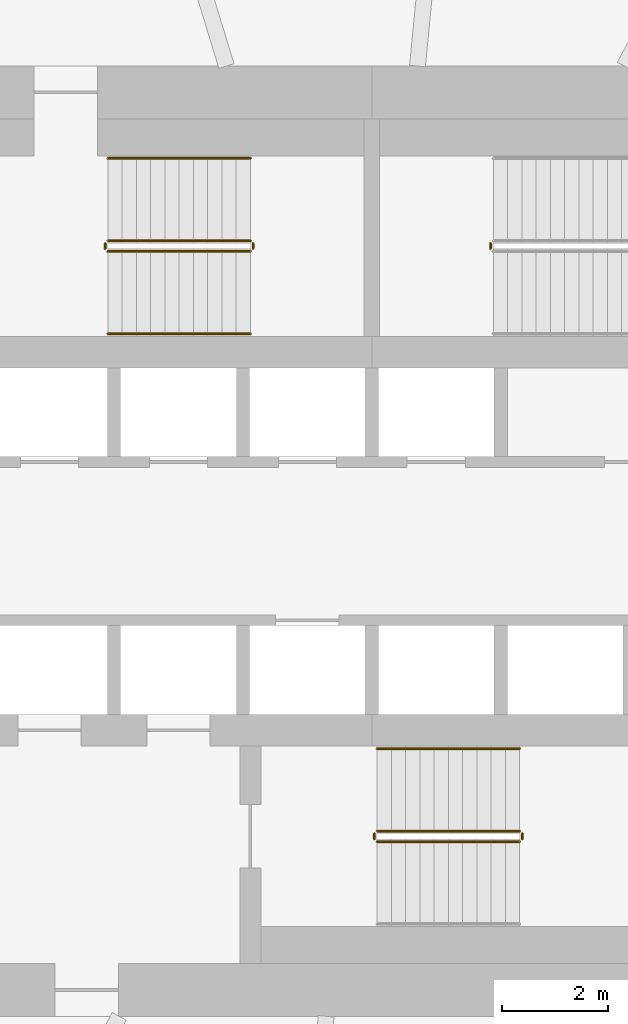
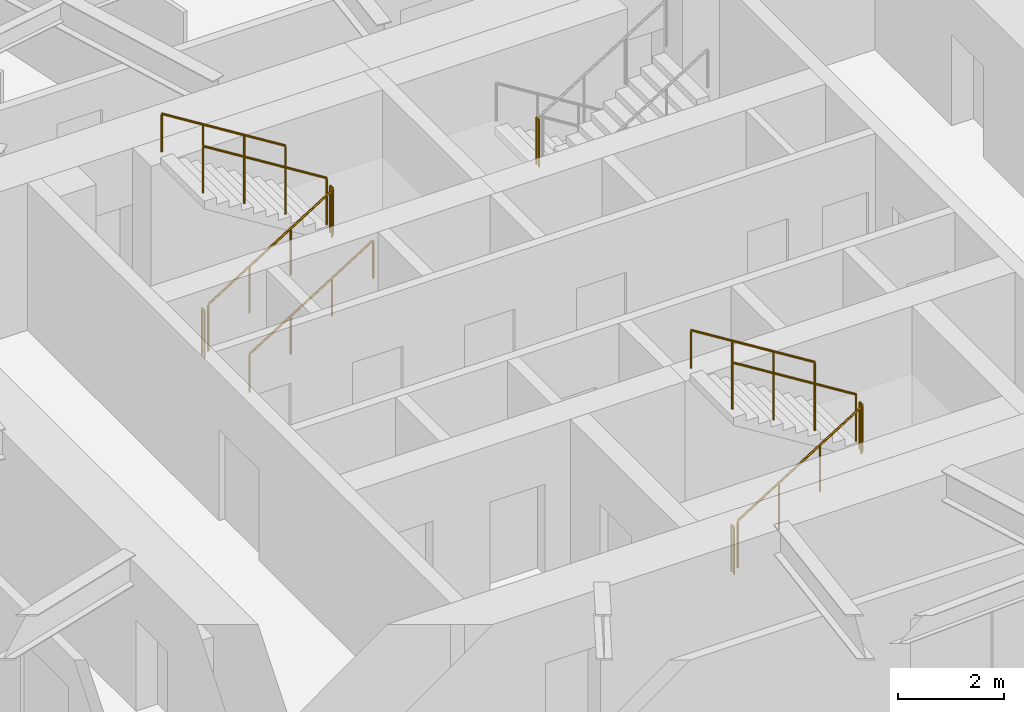
# One storey, part 13 of 16: 12 railings.
"""IFC4 building model written with IfcOpenShell, lengths in metres."""

from ifc_helpers import new_model, si_unit, direction, frame, origin, origin_2d, place, context, subcontext, project, spatial, circle, extrude, material, type_object, element, save


model = new_model("IFC4")

# Units and contexts
model_context = context("Model", 3, precision=1e-05, world=origin(), true_north=direction((0.0, 1.0)))
body_context = subcontext(model_context, "Body", "Model", "MODEL_VIEW")
ifc_project = project(units=[si_unit("LENGTHUNIT", "METRE"), si_unit("AREAUNIT", "SQUARE_METRE"), si_unit("VOLUMEUNIT", "CUBIC_METRE"), si_unit("PLANEANGLEUNIT", "RADIAN"), si_unit("MASSUNIT", "GRAM", prefix="KILO")], contexts=[model_context])

# Site, building, storey
site_placement = place(None, origin())
site = spatial("IfcSite", under=ifc_project, at=site_placement, CompositionType="ELEMENT")
building_placement = place(site_placement, origin())
building = spatial("IfcBuilding", under=site, at=building_placement, Name="Vermilion Reach Broadcast Tower", CompositionType="ELEMENT")
storey_placement = place(building_placement, frame((0.0, 0.0, 43.39990234375)))
storey = spatial("IfcBuildingStorey", under=building, at=storey_placement, Name="L07", CompositionType="ELEMENT", Elevation=43.39990234375)

# Railings
ifc_material_1 = material(Name="Stainless steel", Category="steel")
railing_type_1 = type_object("IfcRailingType", Name="Stair guard 1100", PredefinedType="GUARDRAIL", material=ifc_material_1)
railing_1_placement = place(storey_placement, frame((-11.0, 5.489990234375, 0.168212890625)))
element("IfcRailing", 1, at=railing_1_placement, inside=storey, type_object=railing_type_1, Name="L07 ST1 stair guard 1", PredefinedType="GUARDRAIL", context=body_context, shape_type="SweptSolid", body=[
    extrude(circle(Radius=0.02392578125, at=origin_2d()), frame((0.0, 0.0, 1.076171875), z_axis=(0.848786430784, 0.0, 0.528735846068), x_axis=(0.0, 1.0, 0.0)), (0.0, 0.0, 1.0), 3.180908203125),
    extrude(circle(Radius=0.02099609375, at=origin_2d()), origin(), (0.0, 0.0, 1.0), 1.052001953125),
    extrude(circle(Radius=0.02099609375, at=origin_2d()), frame((0.89990234375, 0.0, 0.560546875)), (0.0, 0.0, 1.0), 1.052001953125),
    extrude(circle(Radius=0.02099609375, at=origin_2d()), frame((1.800048828125, 0.0, 1.121337890625)), (0.0, 0.0, 1.0), 1.052001953125),
    extrude(circle(Radius=0.02099609375, at=origin_2d()), frame((2.699951171875, 0.0, 1.681884765625)), (0.0, 0.0, 1.0), 1.052001953125),
])
railing_2_placement = place(storey_placement, frame((-8.25, 5.5400390625, 1.85009765625)))
element("IfcRailing", 2, at=railing_2_placement, inside=storey, type_object=railing_type_1, Name="L07 ST1 stair guard 2", PredefinedType="GUARDRAIL", context=body_context, shape_type="SweptSolid", body=[
    extrude(circle(Radius=0.02392578125, at=origin_2d()), frame((0.0, 0.0, 1.076171875), z_axis=(0.0, 1.0, 0.0), x_axis=(-1.0, 0.0, 0.0)), (0.0, 0.0, 1.0), 0.099853515625),
    extrude(circle(Radius=0.02099609375, at=origin_2d()), origin(), (0.0, 0.0, 1.0), 1.052001953125),
    extrude(circle(Radius=0.02099609375, at=origin_2d()), frame((0.0, 0.099853515625, 0.0)), (0.0, 0.0, 1.0), 1.052001953125),
])
railing_3_placement = place(storey_placement, frame((-8.300048828125, 5.68994140625, 2.018310546875)))
element("IfcRailing", 3, at=railing_3_placement, inside=storey, type_object=railing_type_1, Name="L07 ST1 stair guard 3", PredefinedType="GUARDRAIL", context=body_context, shape_type="SweptSolid", body=[
    extrude(circle(Radius=0.02392578125, at=origin_2d()), frame((0.0, 0.0, 1.076171875), z_axis=(-0.848786430784, 0.0, 0.528735846068), x_axis=(0.0, -1.0, 0.0)), (0.0, 0.0, 1.0), 3.180908203125),
    extrude(circle(Radius=0.02099609375, at=origin_2d()), origin(), (0.0, 0.0, 1.0), 1.052001953125),
    extrude(circle(Radius=0.02099609375, at=origin_2d()), frame((-0.89990234375, 0.0, 0.560546875)), (0.0, 0.0, 1.0), 1.052001953125),
    extrude(circle(Radius=0.02099609375, at=origin_2d()), frame((-1.800048828125, 0.0, 1.121337890625)), (0.0, 0.0, 1.0), 1.052001953125),
    extrude(circle(Radius=0.02099609375, at=origin_2d()), frame((-2.699951171875, 0.0, 1.681884765625)), (0.0, 0.0, 1.0), 1.052001953125),
])
railing_4_placement = place(storey_placement, frame((-11.050048828125, 5.5400390625, 0.0)))
element("IfcRailing", 4, at=railing_4_placement, inside=storey, type_object=railing_type_1, Name="L07 ST1 stair guard 4", PredefinedType="GUARDRAIL", context=body_context, shape_type="SweptSolid", body=[
    extrude(circle(Radius=0.02392578125, at=origin_2d()), frame((0.0, 0.0, 1.076171875), z_axis=(0.0, 1.0, 0.0), x_axis=(-1.0, 0.0, 0.0)), (0.0, 0.0, 1.0), 0.099853515625),
    extrude(circle(Radius=0.02099609375, at=origin_2d()), origin(), (0.0, 0.0, 1.0), 1.052001953125),
    extrude(circle(Radius=0.02099609375, at=origin_2d()), frame((0.0, 0.099853515625, 0.0)), (0.0, 0.0, 1.0), 1.052001953125),
])
railing_5_placement = place(storey_placement, frame((-3.75, 5.639892578125, 1.85009765625)))
element("IfcRailing", 5, at=railing_5_placement, inside=storey, type_object=railing_type_1, Name="L07 ST2 stair guard 2", PredefinedType="GUARDRAIL", context=body_context, shape_type="SweptSolid", body=[
    extrude(circle(Radius=0.02392578125, at=origin_2d()), frame((0.0, 0.0, 1.076171875), z_axis=(0.0, -1.0, 0.0), x_axis=(1.0, 0.0, 0.0)), (0.0, 0.0, 1.0), 0.099853515625),
    extrude(circle(Radius=0.02099609375, at=origin_2d()), origin(), (0.0, 0.0, 1.0), 1.052001953125),
    extrude(circle(Radius=0.02099609375, at=origin_2d()), frame((0.0, -0.099853515625, 0.0)), (0.0, 0.0, 1.0), 1.052001953125),
])
railing_6_placement = place(storey_placement, frame((-5.89990234375, -5.68994140625, 0.168212890625)))
element("IfcRailing", 6, at=railing_6_placement, inside=storey, type_object=railing_type_1, Name="L07 ST3 stair guard 1", PredefinedType="GUARDRAIL", context=body_context, shape_type="SweptSolid", body=[
    extrude(circle(Radius=0.02392578125, at=origin_2d()), frame((0.0, 0.0, 1.076171875), z_axis=(0.848786430784, 0.0, 0.528735846068), x_axis=(0.0, 1.0, 0.0)), (0.0, 0.0, 1.0), 3.180908203125),
    extrude(circle(Radius=0.02099609375, at=origin_2d()), origin(), (0.0, 0.0, 1.0), 1.052001953125),
    extrude(circle(Radius=0.02099609375, at=origin_2d()), frame((0.89990234375, 0.0, 0.560546875)), (0.0, 0.0, 1.0), 1.052001953125),
    extrude(circle(Radius=0.02099609375, at=origin_2d()), frame((1.800048828125, 0.0, 1.121337890625)), (0.0, 0.0, 1.0), 1.052001953125),
    extrude(circle(Radius=0.02099609375, at=origin_2d()), frame((2.699951171875, 0.0, 1.681884765625)), (0.0, 0.0, 1.0), 1.052001953125),
])
railing_7_placement = place(storey_placement, frame((-3.14990234375, -5.639892578125, 1.85009765625)))
element("IfcRailing", 7, at=railing_7_placement, inside=storey, type_object=railing_type_1, Name="L07 ST3 stair guard 2", PredefinedType="GUARDRAIL", context=body_context, shape_type="SweptSolid", body=[
    extrude(circle(Radius=0.02392578125, at=origin_2d()), frame((0.0, 0.0, 1.076171875), z_axis=(0.0, 1.0, 0.0), x_axis=(-1.0, 0.0, 0.0)), (0.0, 0.0, 1.0), 0.099853515625),
    extrude(circle(Radius=0.02099609375, at=origin_2d()), origin(), (0.0, 0.0, 1.0), 1.052001953125),
    extrude(circle(Radius=0.02099609375, at=origin_2d()), frame((0.0, 0.099853515625, 0.0)), (0.0, 0.0, 1.0), 1.052001953125),
])
railing_8_placement = place(storey_placement, frame((-3.199951171875, -5.489990234375, 2.018310546875)))
element("IfcRailing", 8, at=railing_8_placement, inside=storey, type_object=railing_type_1, Name="L07 ST3 stair guard 3", PredefinedType="GUARDRAIL", context=body_context, shape_type="SweptSolid", body=[
    extrude(circle(Radius=0.02392578125, at=origin_2d()), frame((0.0, 0.0, 1.076171875), z_axis=(-0.848786430784, 0.0, 0.528735846068), x_axis=(0.0, -1.0, 0.0)), (0.0, 0.0, 1.0), 3.180908203125),
    extrude(circle(Radius=0.02099609375, at=origin_2d()), origin(), (0.0, 0.0, 1.0), 1.052001953125),
    extrude(circle(Radius=0.02099609375, at=origin_2d()), frame((-0.89990234375, 0.0, 0.560546875)), (0.0, 0.0, 1.0), 1.052001953125),
    extrude(circle(Radius=0.02099609375, at=origin_2d()), frame((-1.800048828125, 0.0, 1.121337890625)), (0.0, 0.0, 1.0), 1.052001953125),
    extrude(circle(Radius=0.02099609375, at=origin_2d()), frame((-2.699951171875, 0.0, 1.681884765625)), (0.0, 0.0, 1.0), 1.052001953125),
])
railing_9_placement = place(storey_placement, frame((-5.949951171875, -5.639892578125, 0.0)))
element("IfcRailing", 9, at=railing_9_placement, inside=storey, type_object=railing_type_1, Name="L07 ST3 stair guard 4", PredefinedType="GUARDRAIL", context=body_context, shape_type="SweptSolid", body=[
    extrude(circle(Radius=0.02392578125, at=origin_2d()), frame((0.0, 0.0, 1.076171875), z_axis=(0.0, 1.0, 0.0), x_axis=(-1.0, 0.0, 0.0)), (0.0, 0.0, 1.0), 0.099853515625),
    extrude(circle(Radius=0.02099609375, at=origin_2d()), origin(), (0.0, 0.0, 1.0), 1.052001953125),
    extrude(circle(Radius=0.02099609375, at=origin_2d()), frame((0.0, 0.099853515625, 0.0)), (0.0, 0.0, 1.0), 1.052001953125),
])
ifc_material_2 = material(Name="Stainless steel", Category="steel")
railing_type_2 = type_object("IfcRailingType", Name="Stair handrail", PredefinedType="HANDRAIL", material=ifc_material_2)
railing_10_placement = place(storey_placement, frame((-11.0, 3.929931640625, 0.168212890625)))
element("IfcRailing", 10, at=railing_10_placement, inside=storey, type_object=railing_type_2, Name="L07 ST1 stair handrail 1", PredefinedType="HANDRAIL", context=body_context, shape_type="SweptSolid", body=[
    extrude(circle(Radius=0.02392578125, at=origin_2d()), frame((0.0, 0.0, 0.8759765625), z_axis=(0.848786430784, 0.0, 0.528735846068), x_axis=(0.0, 1.0, 0.0)), (0.0, 0.0, 1.0), 3.180908203125),
    extrude(circle(Radius=0.02099609375, at=origin_2d()), origin(), (0.0, 0.0, 1.0), 0.851806640625),
    extrude(circle(Radius=0.02099609375, at=origin_2d()), frame((0.89990234375, 0.0, 0.560546875)), (0.0, 0.0, 1.0), 0.851806640625),
    extrude(circle(Radius=0.02099609375, at=origin_2d()), frame((1.800048828125, 0.0, 1.121337890625)), (0.0, 0.0, 1.0), 0.851806640625),
    extrude(circle(Radius=0.02099609375, at=origin_2d()), frame((2.699951171875, 0.0, 1.681884765625)), (0.0, 0.0, 1.0), 0.851806640625),
])
for number, where, name in (
    (11, (-8.300048828125, 7.25, 2.018310546875), "L07 ST1 stair handrail 2"),
    (12, (-3.199951171875, -3.929931640625, 2.018310546875), "L07 ST3 stair handrail 2"),
):
    element("IfcRailing", number, at=place(storey_placement, frame(where)), inside=storey, type_object=railing_type_2, Name=name, PredefinedType="HANDRAIL", context=body_context, shape_type="SweptSolid", body=[
        extrude(circle(Radius=0.02392578125, at=origin_2d()), frame((0.0, 0.0, 0.8759765625), z_axis=(-0.848786430784, 0.0, 0.528735846068), x_axis=(0.0, -1.0, 0.0)), (0.0, 0.0, 1.0), 3.180908203125),
        extrude(circle(Radius=0.02099609375, at=origin_2d()), origin(), (0.0, 0.0, 1.0), 0.851806640625),
        extrude(circle(Radius=0.02099609375, at=origin_2d()), frame((-0.89990234375, 0.0, 0.560546875)), (0.0, 0.0, 1.0), 0.851806640625),
        extrude(circle(Radius=0.02099609375, at=origin_2d()), frame((-1.800048828125, 0.0, 1.121337890625)), (0.0, 0.0, 1.0), 0.851806640625),
        extrude(circle(Radius=0.02099609375, at=origin_2d()), frame((-2.699951171875, 0.0, 1.681884765625)), (0.0, 0.0, 1.0), 0.851806640625),
    ])

save(model, "model.ifc")
